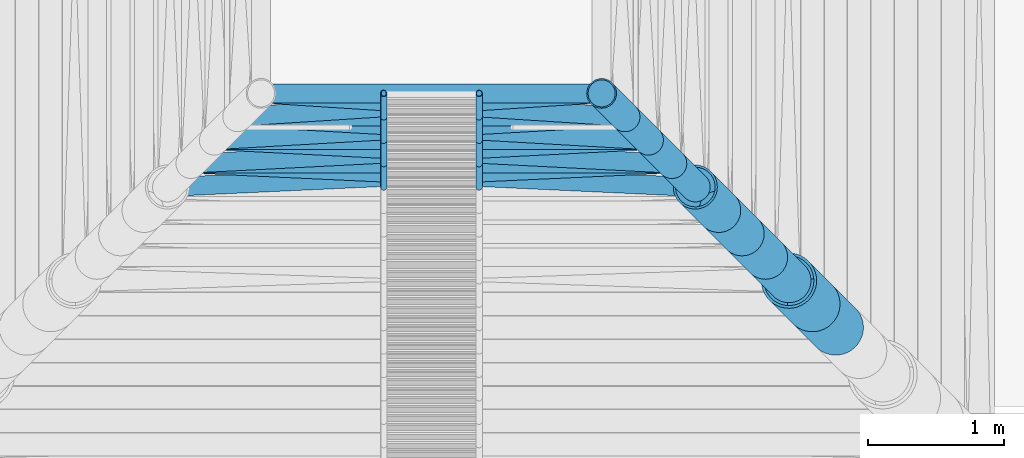
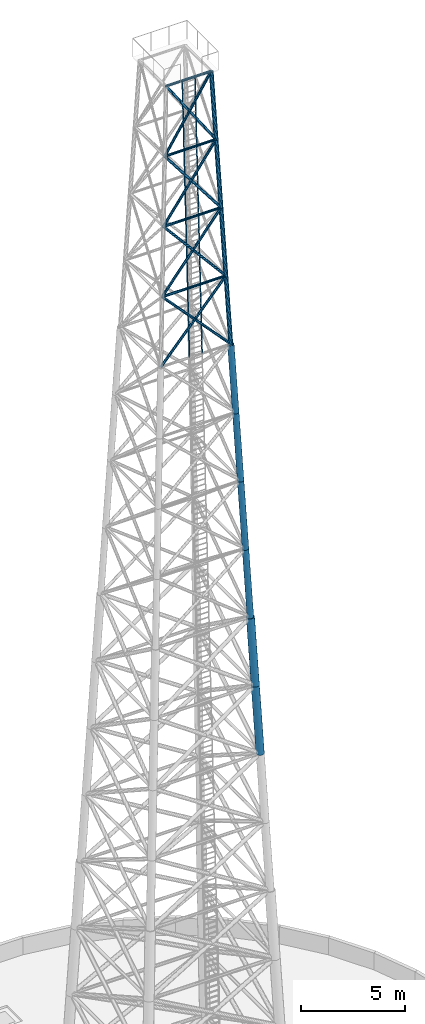
# One storey, part 3 of 9: 30 members.
"""IFC4 building model written with IfcOpenShell, lengths in metres."""

import ifcopenshell
import ifcopenshell.guid

model = None  # the IFC model being written
_history = None  # IfcOwnerHistory: only IFC2X3 demands one
_inside = {}  # id of a spatial element -> (the spatial element, [elements in it])
_under = {}  # id of a project, library or spatial element -> (it, [spatial elements below it])
_declared = {}  # id of a project -> (the project, [libraries it declares])
_typed = {}  # id of a type object -> (the type object, [elements of that type])
_made_of = {}  # id of a material, layer set ... -> (it, [elements and type objects made of it])


def new_model(schema):
    """Start an empty IFC model of exactly this schema.

    Asked for "IFC4X3", IfcOpenShell would pick the latest addendum, in which some entities
    have other attributes; the version numbers below select the first issue.
    IFC2X3 requires an IfcOwnerHistory on every rooted entity: one is made here for all.
    """
    global model, _history
    if schema == "IFC4X3":
        model = ifcopenshell.file(schema_version=(4, 3, 0, 0))
    else:
        model = ifcopenshell.file(schema=schema)
    _inside.clear()
    _under.clear()
    _declared.clear()
    _typed.clear()
    _made_of.clear()
    _history = None
    if model.schema == "IFC2X3":
        org = make("IfcOrganization", Name="unknown")
        user = make(
            "IfcPersonAndOrganization",
            ThePerson=make("IfcPerson", FamilyName="unknown"),
            TheOrganization=org,
        )
        app = make(
            "IfcApplication",
            ApplicationDeveloper=org,
            Version="unknown",
            ApplicationFullName="unknown",
            ApplicationIdentifier="unknown",
        )
        _history = make(
            "IfcOwnerHistory",
            OwningUser=user,
            OwningApplication=app,
            ChangeAction="ADDED",
            CreationDate=0,
        )
    return model


def make(cls, **values):
    """One entity of the class cls with the attributes given. An attribute that is None is left unset."""
    return model.create_entity(
        cls, **{name: value for name, value in values.items() if value is not None}
    )


def rooted(cls, **values):
    """An entity with a GlobalId (a new one), such as an element, a storey or a relation."""
    return make(cls, GlobalId=ifcopenshell.guid.new(), OwnerHistory=_history, **values)


def si_unit(unit_type, name, prefix=None):
    """IfcSIUnit, for example si_unit("LENGTHUNIT", "METRE", prefix="MILLI")."""
    return make("IfcSIUnit", UnitType=unit_type, Prefix=prefix, Name=name)


def assignment(units):
    """IfcUnitAssignment: the units of a project."""
    return None if units is None else make("IfcUnitAssignment", Units=units)


def point(xyz):
    """IfcCartesianPoint."""
    return None if xyz is None else make("IfcCartesianPoint", Coordinates=xyz)


def direction(xyz):
    """IfcDirection."""
    return None if xyz is None else make("IfcDirection", DirectionRatios=xyz)


def frame(location, z_axis=None, x_axis=None):
    """IfcAxis2Placement3D, a coordinate frame: its origin and axes. An axis left out is left unset."""
    return make(
        "IfcAxis2Placement3D",
        Location=point(location),
        Axis=direction(z_axis),
        RefDirection=direction(x_axis),
    )


def frame_2d(location, x_axis=None):
    """IfcAxis2Placement2D, a coordinate frame in the plane: its origin and x axis."""
    return make(
        "IfcAxis2Placement2D", Location=point(location), RefDirection=direction(x_axis)
    )


def origin():
    """The frame at (0, 0, 0) with its axes left unset."""
    return frame((0.0, 0.0, 0.0))


def origin_2d():
    """The frame at (0, 0) in the plane with its x axis left unset."""
    return frame_2d((0.0, 0.0))


def place(relative_to, where):
    """IfcLocalPlacement: puts the frame where relative to a parent placement (None: the world)."""
    return make(
        "IfcLocalPlacement", PlacementRelTo=relative_to, RelativePlacement=where
    )


def context(
    kind, dimensions, precision=None, world=None, true_north=None, identifier=None
):
    """IfcGeometricRepresentationContext, for example the 3D "Model" context."""
    return make(
        "IfcGeometricRepresentationContext",
        ContextIdentifier=identifier,
        ContextType=kind,
        CoordinateSpaceDimension=dimensions,
        Precision=precision,
        WorldCoordinateSystem=world,
        TrueNorth=true_north,
    )


def subcontext(parent, identifier, kind, view, scale=None):
    """IfcGeometricRepresentationSubContext, for example "Body" below "Model"."""
    return make(
        "IfcGeometricRepresentationSubContext",
        ContextIdentifier=identifier,
        ContextType=kind,
        ParentContext=parent,
        TargetScale=scale,
        TargetView=view,
    )


def project(units=None, contexts=None):
    """IfcProject with its units and contexts."""
    return rooted(
        "IfcProject",
        Name="project",
        RepresentationContexts=contexts,
        UnitsInContext=assignment(units),
    )


def spatial(cls, under=None, at=None, **own):
    """A site, building, storey or space (cls), placed at a placement, below another one or the project."""
    s = rooted(cls, ObjectPlacement=at, **own)
    if under is not None:
        _under.setdefault(under.id(), (under, []))[1].append(s)
    return s


def profile(cls, at=None, kind="AREA", **sizes):
    """A parametric profile (cls). Its sizes go by their IFC names, for example OverallWidth=200.0."""
    return make(cls, ProfileType=kind, Position=at, **sizes)


def hollow_circle(**sizes):
    """IfcCircleHollowProfileDef."""
    return profile("IfcCircleHollowProfileDef", **sizes)


def extrude(swept, where, along, depth):
    """IfcExtrudedAreaSolid: the profile swept, set in the frame where, extruded along a direction by depth."""
    return make(
        "IfcExtrudedAreaSolid",
        SweptArea=swept,
        Position=where,
        ExtrudedDirection=direction(along),
        Depth=depth,
    )


def shape(context_of_items, identifier, shape_type, items):
    """IfcShapeRepresentation: the items that make up one representation, for example the "Body"."""
    return make(
        "IfcShapeRepresentation",
        ContextOfItems=context_of_items,
        RepresentationIdentifier=identifier,
        RepresentationType=shape_type,
        Items=items,
    )


def material(Name=None, Category=None):
    """IfcMaterial."""
    return make("IfcMaterial", Name=Name, Category=Category)


def material_profile(
    of_material, cross_section, Name=None, Category=None, Priority=None
):
    """IfcMaterialProfile: a cross section and its material."""
    return make(
        "IfcMaterialProfile",
        Name=Name,
        Material=of_material,
        Profile=cross_section,
        Priority=Priority,
        Category=Category,
    )


def profile_set(profiles, Name=None, composite=None):
    """IfcMaterialProfileSet."""
    return make(
        "IfcMaterialProfileSet",
        Name=Name,
        MaterialProfiles=profiles,
        CompositeProfile=composite,
    )


def made_of(thing, what):
    """Note that an element or type object is made of a material, layer set ...; save() writes the relation."""
    if what is not None:
        _made_of.setdefault(what.id(), (what, []))[1].append(thing)
    return thing


def type_object(cls, material=None, **own):
    """A type object (cls), such as IfcWallType, which elements share."""
    return made_of(rooted(cls, **own), material)


def element(
    cls,
    number,
    at=None,
    inside=None,
    cuts=None,
    type_object=None,
    material=None,
    context=None,
    identifier="Body",
    shape_type=None,
    held_by="IfcProductDefinitionShape",
    body=None,
    shapes=None,
    **own,
):
    """One element of the class cls, such as IfcWall. Its Tag is "e" and its number.

    at: its placement. inside: the storey or other place that contains it. cuts: it is an
    opening in that element (IfcRelVoidsElement). A single representation is given by context,
    identifier, shape_type and body (its items); several are given by shapes. held_by: the class
    of the entity that holds the representations. save() writes the other relations.
    """
    e = rooted(cls, Tag="e%d" % number, ObjectPlacement=at, **own)
    if body is not None:
        shapes = [shape(context, identifier, shape_type, body)]
    if shapes is not None:
        e.Representation = make(held_by, Representations=shapes)
    if inside is not None:
        _inside.setdefault(inside.id(), (inside, []))[1].append(e)
    if cuts is not None:
        rooted(
            "IfcRelVoidsElement", RelatingBuildingElement=cuts, RelatedOpeningElement=e
        )
    if type_object is not None:
        _typed.setdefault(type_object.id(), (type_object, []))[1].append(e)
    return made_of(e, material)


def aggregate(whole, parts):
    """IfcRelAggregates: a whole, such as a stair, and the parts it consists of."""
    return rooted("IfcRelAggregates", RelatingObject=whole, RelatedObjects=parts)


def save(model, path):
    """Write the relations noted so far, then the file.

    IfcRelAggregates (storeys below a building ...), IfcRelContainedInSpatialStructure (elements
    in a storey), IfcRelDefinesByType, IfcRelAssociatesMaterial and IfcRelDeclares: one each for
    every whole, place, type object, material and project.
    """
    for whole, parts in _under.values():
        aggregate(whole, parts)
    for where, things in _inside.values():
        rooted(
            "IfcRelContainedInSpatialStructure",
            RelatedElements=things,
            RelatingStructure=where,
        )
    for kind, things in _typed.values():
        rooted("IfcRelDefinesByType", RelatedObjects=things, RelatingType=kind)
    for what, things in _made_of.values():
        rooted("IfcRelAssociatesMaterial", RelatedObjects=things, RelatingMaterial=what)
    for by, libraries in _declared.values():
        rooted("IfcRelDeclares", RelatingContext=by, RelatedDefinitions=libraries)
    model.write(path)


model = new_model("IFC4")

# Units and contexts
model_context = context("Model", 3, precision=1e-05, world=origin(), true_north=direction((0.0, 1.0)))
body_context = subcontext(model_context, "Body", "Model", "MODEL_VIEW")
ifc_project = project(units=[si_unit("LENGTHUNIT", "METRE"), si_unit("AREAUNIT", "SQUARE_METRE"), si_unit("VOLUMEUNIT", "CUBIC_METRE"), si_unit("PLANEANGLEUNIT", "RADIAN"), si_unit("MASSUNIT", "GRAM", prefix="KILO")], contexts=[model_context])

# Site, building, storey
site_placement = place(None, origin())
site = spatial("IfcSite", under=ifc_project, at=site_placement, CompositionType="ELEMENT")
building_placement = place(site_placement, origin())
building = spatial("IfcBuilding", under=site, at=building_placement, Name="Tracery Tower", CompositionType="ELEMENT")
storey_placement = place(building_placement, frame((0.0, 0.0, 364.199951171875)))
storey = spatial("IfcBuildingStorey", under=building, at=storey_placement, Name="Roof", CompositionType="ELEMENT", Elevation=364.199951171875)

# Members
ifc_material_1 = material(Name="Steel S355", Category="steel")
ifc_material_profile_1 = material_profile(ifc_material_1, hollow_circle(Radius=0.06982421875, WallThickness=0.00634765625, at=origin_2d()), Name="CHS 139.7x6.3")
ifc_profile_set_1 = profile_set([ifc_material_profile_1], Name="Steel S355")
member_type_1 = type_object("IfcMemberType", Name="Mast diagonal MAST CHS 139.7x6.3", PredefinedType="BRACE", material=ifc_profile_set_1)
for number, where, z_axis, x_axis, name in (
    (1, (-1.9375, -1.9375, 46.990234375), (0.684073226485, 0.031750234141, 0.728721993245), (-0.046363590447, 0.998924630531, 0.0), "Mast south face diagonal 13a"),
    (2, (1.9375, -1.9375, 46.990234375), (-0.684073226485, 0.031750234141, 0.728721993245), (-0.046363590447, -0.998924630531, 0.0), "Mast south face diagonal 13b"),
):
    element("IfcMember", number, at=place(storey_placement, frame(where, z_axis=z_axis, x_axis=x_axis)), inside=storey, type_object=member_type_1, Name=name, PredefinedType="BRACE", context=body_context, shape_type="SweptSolid", body=[
        extrude(hollow_circle(Radius=0.06982421875, WallThickness=0.00634765625, at=origin_2d()), origin(), (0.0, 0.0, 1.0), 5.413330078125),
    ])
for number, where, z_axis, x_axis, name in (
    (3, (-1.765625, -1.765625, 50.93505859375), (0.647971530659, 0.033152031801, 0.760942729936), (-0.051095959217, 0.998693748329, 0.0), "Mast south face diagonal 14a"),
    (4, (1.765625, -1.765625, 50.93505859375), (-0.647971530659, 0.033152031801, 0.760942729936), (-0.051095959217, -0.998693748329, 0.0), "Mast south face diagonal 14b"),
):
    element("IfcMember", number, at=place(storey_placement, frame(where, z_axis=z_axis, x_axis=x_axis)), inside=storey, type_object=member_type_1, Name=name, PredefinedType="BRACE", context=body_context, shape_type="SweptSolid", body=[
        extrude(hollow_circle(Radius=0.06982421875, WallThickness=0.00634765625, at=origin_2d()), origin(), (0.0, 0.0, 1.0), 5.1845703125),
    ])
for number, where, z_axis, x_axis, name in (
    (5, (-1.59375, -1.59375, 54.880126953125), (0.606935165704, 0.034592159703, 0.79399816569), (-0.056902472325, 0.998379741703, 0.0), "Mast south face diagonal 15a"),
    (6, (1.59375, -1.59375, 54.880126953125), (-0.606935165704, 0.034592159703, 0.79399816569), (-0.056902472325, -0.998379741703, 0.0), "Mast south face diagonal 15b"),
):
    element("IfcMember", number, at=place(storey_placement, frame(where, z_axis=z_axis, x_axis=x_axis)), inside=storey, type_object=member_type_1, Name=name, PredefinedType="BRACE", context=body_context, shape_type="SweptSolid", body=[
        extrude(hollow_circle(Radius=0.06982421875, WallThickness=0.00634765625, at=origin_2d()), origin(), (0.0, 0.0, 1.0), 4.968505859375),
    ])
for number, where, z_axis, x_axis, name in (
    (7, (-1.421875, -1.421875, 58.8251953125), (0.560398686106, 0.036049038288, 0.827438081943), (-0.064194802638, 0.99793738647, 0.0), "Mast south face diagonal 16a"),
    (8, (1.421875, -1.421875, 58.8251953125), (-0.560398686106, 0.036049038288, 0.827438081943), (-0.064194802638, -0.99793738647, 0.0), "Mast south face diagonal 16b"),
):
    element("IfcMember", number, at=place(storey_placement, frame(where, z_axis=z_axis, x_axis=x_axis)), inside=storey, type_object=member_type_1, Name=name, PredefinedType="BRACE", context=body_context, shape_type="SweptSolid", body=[
        extrude(hollow_circle(Radius=0.06982421875, WallThickness=0.00634765625, at=origin_2d()), origin(), (0.0, 0.0, 1.0), 4.767822265625),
    ])
ifc_material_2 = material(Name="Steel S355", Category="steel")
ifc_material_profile_2 = material_profile(ifc_material_2, hollow_circle(Radius=0.024169921875, WallThickness=0.00390625, at=origin_2d()), Name="CHS 48.3x4")
ifc_profile_set_2 = profile_set([ifc_material_profile_2], Name="Steel S355")
member_type_2 = type_object("IfcMemberType", Name="Mast ladder stile MAST CHS 48.3x4", PredefinedType="STRINGER", material=ifc_profile_set_2)
for number, where, z_axis, x_axis, name in (
    (9, (-0.35009765625, -1.9375, 46.990234375), (0.0, 0.043528452789, 0.999052187725), (-1.0, 0.0, 0.0), "Mast service ladder stile 1 length 13"),
    (10, (0.35009765625, -1.9375, 46.990234375), (0.0, 0.043528452789, 0.999052187725), (-1.0, 0.0, 0.0), "Mast service ladder stile 2 length 13"),
):
    element("IfcMember", number, at=place(storey_placement, frame(where, z_axis=z_axis, x_axis=x_axis)), inside=storey, type_object=member_type_2, Name=name, PredefinedType="STRINGER", context=body_context, shape_type="SweptSolid", body=[
        extrude(hollow_circle(Radius=0.024169921875, WallThickness=0.00390625, at=origin_2d()), origin(), (0.0, 0.0, 1.0), 3.948486328125),
    ])
for number, where, z_axis, x_axis, name in (
    (11, (-0.35009765625, -1.765625, 50.93505859375), (0.0, 0.043525764133, 0.999052304865), (-1.0, 0.0, 0.0), "Mast service ladder stile 1 length 14"),
    (12, (0.35009765625, -1.765625, 50.93505859375), (0.0, 0.043525764133, 0.999052304865), (-1.0, 0.0, 0.0), "Mast service ladder stile 2 length 14"),
    (13, (-0.35009765625, -1.59375, 54.880126953125), (0.0, 0.043525764133, 0.999052304865), (-1.0, 0.0, 0.0), "Mast service ladder stile 1 length 15"),
    (14, (0.35009765625, -1.59375, 54.880126953125), (0.0, 0.043525764133, 0.999052304865), (-1.0, 0.0, 0.0), "Mast service ladder stile 2 length 15"),
    (15, (-0.35009765625, -1.421875, 58.8251953125), (0.0, 0.043525764133, 0.999052304865), (-1.0, 0.0, 0.0), "Mast service ladder stile 1 length 16"),
    (16, (0.35009765625, -1.421875, 58.8251953125), (0.0, 0.043525764133, 0.999052304865), (-1.0, 0.0, 0.0), "Mast service ladder stile 2 length 16"),
):
    element("IfcMember", number, at=place(storey_placement, frame(where, z_axis=z_axis, x_axis=x_axis)), inside=storey, type_object=member_type_2, Name=name, PredefinedType="STRINGER", context=body_context, shape_type="SweptSolid", body=[
        extrude(hollow_circle(Radius=0.024169921875, WallThickness=0.00390625, at=origin_2d()), origin(), (0.0, 0.0, 1.0), 3.94873046875),
    ])
ifc_material_3 = material(Name="Steel S355", Category="steel")
ifc_material_profile_3 = material_profile(ifc_material_3, hollow_circle(Radius=0.109619140625, WallThickness=0.010009765625, at=origin_2d()), Name="CHS 219.1x10")
ifc_profile_set_3 = profile_set([ifc_material_profile_3], Name="Steel S355")
member_type_3 = type_object("IfcMemberType", Name="Mast leg MAST CHS 219.1x10", PredefinedType="CHORD", material=ifc_profile_set_3)
member_1_placement = place(storey_placement, frame((1.9375, -1.9375, 46.990234375), z_axis=(-0.043487274046, 0.043487274046, 0.998107065395), x_axis=(-0.707106781187, -0.707106781187, 0.0)))
element("IfcMember", 17, at=member_1_placement, inside=storey, type_object=member_type_3, Name="Mast leg 2 panel 13", PredefinedType="CHORD", context=body_context, shape_type="SweptSolid", body=[
    extrude(hollow_circle(Radius=0.109619140625, WallThickness=0.010009765625, at=origin_2d()), origin(), (0.0, 0.0, 1.0), 3.952392578125),
])
for number, where, z_axis, x_axis, name in (
    (18, (1.765625, -1.765625, 50.93505859375), (-0.043484593013, 0.043484593013, 0.998107299012), (-0.707106781187, -0.707106781187, 0.0), "Mast leg 2 panel 14"),
    (19, (1.59375, -1.59375, 54.880126953125), (-0.043484593013, 0.043484593013, 0.998107299012), (-0.707106781187, -0.707106781187, 0.0), "Mast leg 2 panel 15"),
    (20, (1.421875, -1.421875, 58.8251953125), (-0.043484593013, 0.043484593013, 0.998107299012), (-0.707106781187, -0.707106781187, 0.0), "Mast leg 2 panel 16"),
):
    element("IfcMember", number, at=place(storey_placement, frame(where, z_axis=z_axis, x_axis=x_axis)), inside=storey, type_object=member_type_3, Name=name, PredefinedType="CHORD", context=body_context, shape_type="SweptSolid", body=[
        extrude(hollow_circle(Radius=0.109619140625, WallThickness=0.010009765625, at=origin_2d()), origin(), (0.0, 0.0, 1.0), 3.95263671875),
    ])
ifc_material_4 = material(Name="Steel S355", Category="steel")
ifc_material_profile_4 = material_profile(ifc_material_4, hollow_circle(Radius=0.161865234375, WallThickness=0.01611328125, at=origin_2d()), Name="CHS 323.9x16")
ifc_profile_set_4 = profile_set([ifc_material_profile_4], Name="Steel S355")
member_type_4 = type_object("IfcMemberType", Name="Mast leg MAST CHS 323.9x16", PredefinedType="CHORD", material=ifc_profile_set_4)
member_2_placement = place(storey_placement, frame((2.625, -2.625, 31.210205078125), z_axis=(-0.043487274046, 0.043487274046, 0.998107065395), x_axis=(-0.707106781187, -0.707106781187, 0.0)))
element("IfcMember", 21, at=member_2_placement, inside=storey, type_object=member_type_4, Name="Mast leg 2 panel 9", PredefinedType="CHORD", context=body_context, shape_type="SweptSolid", body=[
    extrude(hollow_circle(Radius=0.161865234375, WallThickness=0.01611328125, at=origin_2d()), origin(), (0.0, 0.0, 1.0), 3.952392578125),
])
for number, where, z_axis, x_axis, name in (
    (22, (2.453125, -2.453125, 35.155029296875), (-0.043484593013, 0.043484593013, 0.998107299012), (-0.707106781187, -0.707106781187, 0.0), "Mast leg 2 panel 10"),
    (23, (2.28125, -2.28125, 39.10009765625), (-0.043484593013, 0.043484593013, 0.998107299012), (-0.707106781187, -0.707106781187, 0.0), "Mast leg 2 panel 11"),
    (24, (2.109375, -2.109375, 43.045166015625), (-0.043484593013, 0.043484593013, 0.998107299012), (-0.707106781187, -0.707106781187, 0.0), "Mast leg 2 panel 12"),
):
    element("IfcMember", number, at=place(storey_placement, frame(where, z_axis=z_axis, x_axis=x_axis)), inside=storey, type_object=member_type_4, Name=name, PredefinedType="CHORD", context=body_context, shape_type="SweptSolid", body=[
        extrude(hollow_circle(Radius=0.161865234375, WallThickness=0.01611328125, at=origin_2d()), origin(), (0.0, 0.0, 1.0), 3.95263671875),
    ])
ifc_material_5 = material(Name="Steel S355", Category="steel")
ifc_material_profile_5 = material_profile(ifc_material_5, hollow_circle(Radius=0.203125, WallThickness=0.02001953125, at=origin_2d()), Name="CHS 406.4x20")
ifc_profile_set_5 = profile_set([ifc_material_profile_5], Name="Steel S355")
member_type_5 = type_object("IfcMemberType", Name="Mast leg MAST CHS 406.4x20", PredefinedType="CHORD", material=ifc_profile_set_5)
for number, where, z_axis, x_axis, name in (
    (25, (2.96875, -2.96875, 23.320068359375), (-0.043484593013, 0.043484593013, 0.998107299012), (-0.707106781187, -0.707106781187, 0.0), "Mast leg 2 panel 7"),
    (26, (2.796875, -2.796875, 27.26513671875), (-0.043484593013, 0.043484593013, 0.998107299012), (-0.707106781187, -0.707106781187, 0.0), "Mast leg 2 panel 8"),
):
    element("IfcMember", number, at=place(storey_placement, frame(where, z_axis=z_axis, x_axis=x_axis)), inside=storey, type_object=member_type_5, Name=name, PredefinedType="CHORD", context=body_context, shape_type="SweptSolid", body=[
        extrude(hollow_circle(Radius=0.203125, WallThickness=0.02001953125, at=origin_2d()), origin(), (0.0, 0.0, 1.0), 3.95263671875),
    ])
ifc_material_6 = material(Name="Steel S355", Category="steel")
ifc_material_profile_6 = material_profile(ifc_material_6, hollow_circle(Radius=0.06982421875, WallThickness=0.00634765625, at=origin_2d()), Name="CHS 139.7x6.3")
ifc_profile_set_6 = profile_set([ifc_material_profile_6], Name="Steel S355")
member_type_6 = type_object("IfcMemberType", Name="Mast strut MAST CHS 139.7x6.3", PredefinedType="STRUT", material=ifc_profile_set_6)
member_3_placement = place(storey_placement, frame((-1.765625, -1.765625, 50.93505859375), z_axis=(1.0, 0.0, 0.0), x_axis=(0.0, 1.0, 0.0)))
element("IfcMember", 27, at=member_3_placement, inside=storey, type_object=member_type_6, Name="Mast south face strut 13", PredefinedType="STRUT", context=body_context, shape_type="SweptSolid", body=[
    extrude(hollow_circle(Radius=0.06982421875, WallThickness=0.00634765625, at=origin_2d()), origin(), (0.0, 0.0, 1.0), 3.53125),
])
member_4_placement = place(storey_placement, frame((-1.59375, -1.59375, 54.880126953125), z_axis=(1.0, 0.0, 0.0), x_axis=(0.0, 1.0, 0.0)))
element("IfcMember", 28, at=member_4_placement, inside=storey, type_object=member_type_6, Name="Mast south face strut 14", PredefinedType="STRUT", context=body_context, shape_type="SweptSolid", body=[
    extrude(hollow_circle(Radius=0.06982421875, WallThickness=0.00634765625, at=origin_2d()), origin(), (0.0, 0.0, 1.0), 3.1875),
])
member_5_placement = place(storey_placement, frame((-1.421875, -1.421875, 58.8251953125), z_axis=(1.0, 0.0, 0.0), x_axis=(0.0, 1.0, 0.0)))
element("IfcMember", 29, at=member_5_placement, inside=storey, type_object=member_type_6, Name="Mast south face strut 15", PredefinedType="STRUT", context=body_context, shape_type="SweptSolid", body=[
    extrude(hollow_circle(Radius=0.06982421875, WallThickness=0.00634765625, at=origin_2d()), origin(), (0.0, 0.0, 1.0), 2.84375),
])
member_6_placement = place(storey_placement, frame((-1.25, -1.25, 62.770263671875), z_axis=(1.0, 0.0, 0.0), x_axis=(0.0, 1.0, 0.0)))
element("IfcMember", 30, at=member_6_placement, inside=storey, type_object=member_type_6, Name="Mast south face strut 16", PredefinedType="STRUT", context=body_context, shape_type="SweptSolid", body=[
    extrude(hollow_circle(Radius=0.06982421875, WallThickness=0.00634765625, at=origin_2d()), origin(), (0.0, 0.0, 1.0), 2.5),
])

save(model, "model.ifc")
